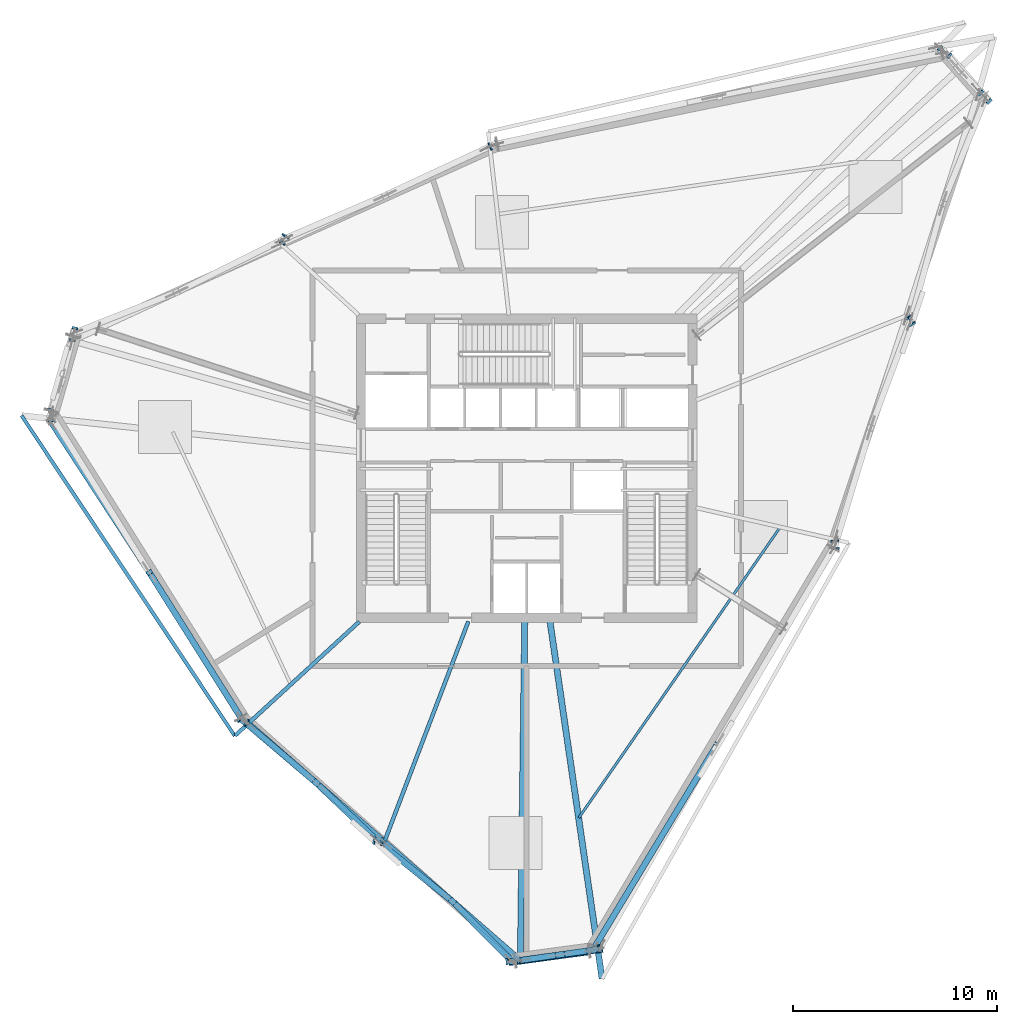
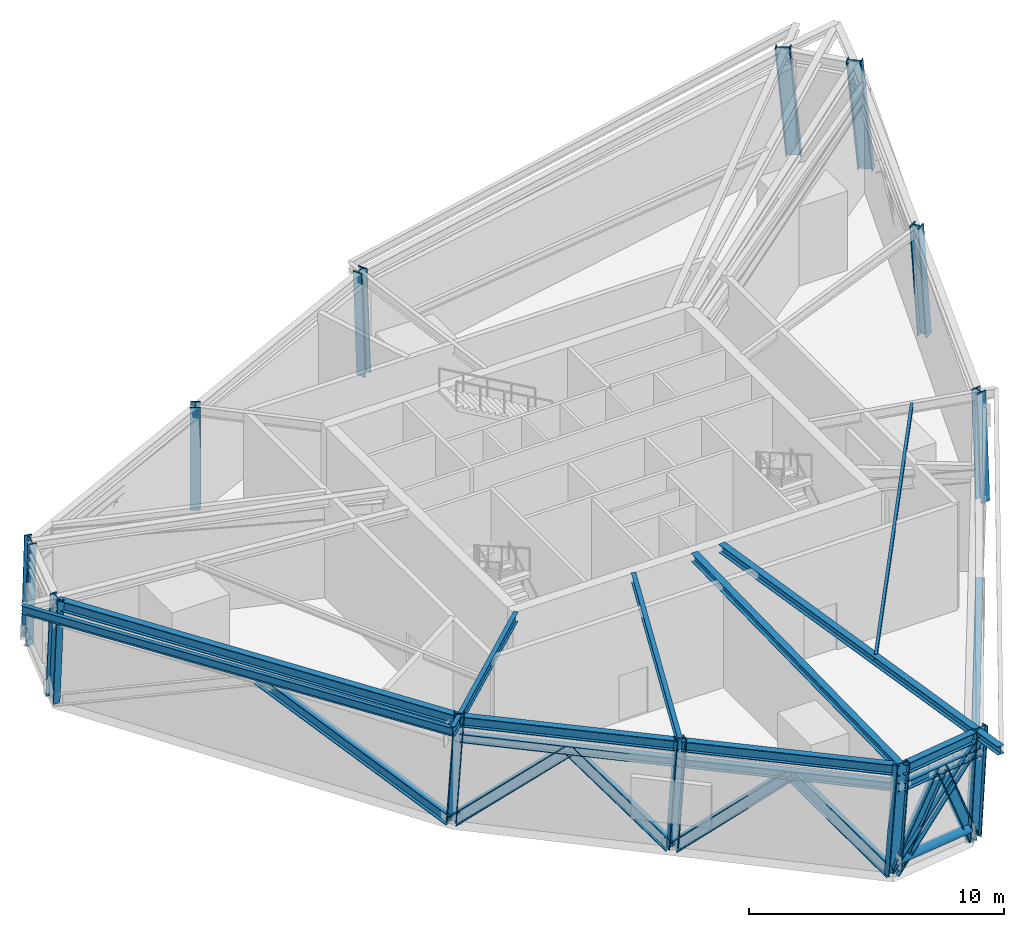
# One storey, part 1 of 15: 13 members, 12 columns, 10 beams.
"""IFC4 building model written with IfcOpenShell, lengths in metres."""

import ifcopenshell
import ifcopenshell.guid

model = None  # the IFC model being written
_history = None  # IfcOwnerHistory: only IFC2X3 demands one
_inside = {}  # id of a spatial element -> (the spatial element, [elements in it])
_under = {}  # id of a project, library or spatial element -> (it, [spatial elements below it])
_declared = {}  # id of a project -> (the project, [libraries it declares])
_typed = {}  # id of a type object -> (the type object, [elements of that type])
_made_of = {}  # id of a material, layer set ... -> (it, [elements and type objects made of it])


def new_model(schema):
    """Start an empty IFC model of exactly this schema.

    Asked for "IFC4X3", IfcOpenShell would pick the latest addendum, in which some entities
    have other attributes; the version numbers below select the first issue.
    IFC2X3 requires an IfcOwnerHistory on every rooted entity: one is made here for all.
    """
    global model, _history
    if schema == "IFC4X3":
        model = ifcopenshell.file(schema_version=(4, 3, 0, 0))
    else:
        model = ifcopenshell.file(schema=schema)
    _inside.clear()
    _under.clear()
    _declared.clear()
    _typed.clear()
    _made_of.clear()
    _history = None
    if model.schema == "IFC2X3":
        org = make("IfcOrganization", Name="unknown")
        user = make(
            "IfcPersonAndOrganization",
            ThePerson=make("IfcPerson", FamilyName="unknown"),
            TheOrganization=org,
        )
        app = make(
            "IfcApplication",
            ApplicationDeveloper=org,
            Version="unknown",
            ApplicationFullName="unknown",
            ApplicationIdentifier="unknown",
        )
        _history = make(
            "IfcOwnerHistory",
            OwningUser=user,
            OwningApplication=app,
            ChangeAction="ADDED",
            CreationDate=0,
        )
    return model


def make(cls, **values):
    """One entity of the class cls with the attributes given. An attribute that is None is left unset."""
    return model.create_entity(
        cls, **{name: value for name, value in values.items() if value is not None}
    )


def rooted(cls, **values):
    """An entity with a GlobalId (a new one), such as an element, a storey or a relation."""
    return make(cls, GlobalId=ifcopenshell.guid.new(), OwnerHistory=_history, **values)


def si_unit(unit_type, name, prefix=None):
    """IfcSIUnit, for example si_unit("LENGTHUNIT", "METRE", prefix="MILLI")."""
    return make("IfcSIUnit", UnitType=unit_type, Prefix=prefix, Name=name)


def assignment(units):
    """IfcUnitAssignment: the units of a project."""
    return None if units is None else make("IfcUnitAssignment", Units=units)


def point(xyz):
    """IfcCartesianPoint."""
    return None if xyz is None else make("IfcCartesianPoint", Coordinates=xyz)


def direction(xyz):
    """IfcDirection."""
    return None if xyz is None else make("IfcDirection", DirectionRatios=xyz)


def frame(location, z_axis=None, x_axis=None):
    """IfcAxis2Placement3D, a coordinate frame: its origin and axes. An axis left out is left unset."""
    return make(
        "IfcAxis2Placement3D",
        Location=point(location),
        Axis=direction(z_axis),
        RefDirection=direction(x_axis),
    )


def frame_2d(location, x_axis=None):
    """IfcAxis2Placement2D, a coordinate frame in the plane: its origin and x axis."""
    return make(
        "IfcAxis2Placement2D", Location=point(location), RefDirection=direction(x_axis)
    )


def origin():
    """The frame at (0, 0, 0) with its axes left unset."""
    return frame((0.0, 0.0, 0.0))


def origin_2d():
    """The frame at (0, 0) in the plane with its x axis left unset."""
    return frame_2d((0.0, 0.0))


def place(relative_to, where):
    """IfcLocalPlacement: puts the frame where relative to a parent placement (None: the world)."""
    return make(
        "IfcLocalPlacement", PlacementRelTo=relative_to, RelativePlacement=where
    )


def context(
    kind, dimensions, precision=None, world=None, true_north=None, identifier=None
):
    """IfcGeometricRepresentationContext, for example the 3D "Model" context."""
    return make(
        "IfcGeometricRepresentationContext",
        ContextIdentifier=identifier,
        ContextType=kind,
        CoordinateSpaceDimension=dimensions,
        Precision=precision,
        WorldCoordinateSystem=world,
        TrueNorth=true_north,
    )


def subcontext(parent, identifier, kind, view, scale=None):
    """IfcGeometricRepresentationSubContext, for example "Body" below "Model"."""
    return make(
        "IfcGeometricRepresentationSubContext",
        ContextIdentifier=identifier,
        ContextType=kind,
        ParentContext=parent,
        TargetScale=scale,
        TargetView=view,
    )


def project(units=None, contexts=None):
    """IfcProject with its units and contexts."""
    return rooted(
        "IfcProject",
        Name="project",
        RepresentationContexts=contexts,
        UnitsInContext=assignment(units),
    )


def spatial(cls, under=None, at=None, **own):
    """A site, building, storey or space (cls), placed at a placement, below another one or the project."""
    s = rooted(cls, ObjectPlacement=at, **own)
    if under is not None:
        _under.setdefault(under.id(), (under, []))[1].append(s)
    return s


def profile(cls, at=None, kind="AREA", **sizes):
    """A parametric profile (cls). Its sizes go by their IFC names, for example OverallWidth=200.0."""
    return make(cls, ProfileType=kind, Position=at, **sizes)


def hollow_circle(**sizes):
    """IfcCircleHollowProfileDef."""
    return profile("IfcCircleHollowProfileDef", **sizes)


def i_section(**sizes):
    """IfcIShapeProfileDef."""
    return profile("IfcIShapeProfileDef", **sizes)


def extrude(swept, where, along, depth):
    """IfcExtrudedAreaSolid: the profile swept, set in the frame where, extruded along a direction by depth."""
    return make(
        "IfcExtrudedAreaSolid",
        SweptArea=swept,
        Position=where,
        ExtrudedDirection=direction(along),
        Depth=depth,
    )


def shape(context_of_items, identifier, shape_type, items):
    """IfcShapeRepresentation: the items that make up one representation, for example the "Body"."""
    return make(
        "IfcShapeRepresentation",
        ContextOfItems=context_of_items,
        RepresentationIdentifier=identifier,
        RepresentationType=shape_type,
        Items=items,
    )


def source(mapping_origin, context_of_items, identifier, shape_type, items):
    """IfcRepresentationMap: a shape defined once, which mapped items show again and again."""
    return make(
        "IfcRepresentationMap",
        MappingOrigin=mapping_origin,
        MappedRepresentation=shape(context_of_items, identifier, shape_type, items),
    )


def transform(
    local_origin,
    x_axis=None,
    y_axis=None,
    z_axis=None,
    scale=None,
    scale2=None,
    scale3=None,
    uniform=True,
):
    """IfcCartesianTransformationOperator3D, or its non-uniform kind. x_axis, y_axis, z_axis: its Axis1, 2, 3."""
    if uniform:
        return make(
            "IfcCartesianTransformationOperator3D",
            Axis1=direction(x_axis),
            Axis2=direction(y_axis),
            LocalOrigin=point(local_origin),
            Scale=scale,
            Axis3=direction(z_axis),
        )
    return make(
        "IfcCartesianTransformationOperator3DnonUniform",
        Axis1=direction(x_axis),
        Axis2=direction(y_axis),
        LocalOrigin=point(local_origin),
        Scale=scale,
        Axis3=direction(z_axis),
        Scale2=scale2,
        Scale3=scale3,
    )


def mapped(mapping_source, mapping_target):
    """IfcMappedItem: shows the shape of a source again, moved by a transform."""
    return make(
        "IfcMappedItem", MappingSource=mapping_source, MappingTarget=mapping_target
    )


def material(Name=None, Category=None):
    """IfcMaterial."""
    return make("IfcMaterial", Name=Name, Category=Category)


def material_profile(
    of_material, cross_section, Name=None, Category=None, Priority=None
):
    """IfcMaterialProfile: a cross section and its material."""
    return make(
        "IfcMaterialProfile",
        Name=Name,
        Material=of_material,
        Profile=cross_section,
        Priority=Priority,
        Category=Category,
    )


def profile_set(profiles, Name=None, composite=None):
    """IfcMaterialProfileSet."""
    return make(
        "IfcMaterialProfileSet",
        Name=Name,
        MaterialProfiles=profiles,
        CompositeProfile=composite,
    )


def made_of(thing, what):
    """Note that an element or type object is made of a material, layer set ...; save() writes the relation."""
    if what is not None:
        _made_of.setdefault(what.id(), (what, []))[1].append(thing)
    return thing


def type_object(cls, material=None, **own):
    """A type object (cls), such as IfcWallType, which elements share."""
    return made_of(rooted(cls, **own), material)


def element(
    cls,
    number,
    at=None,
    inside=None,
    cuts=None,
    type_object=None,
    material=None,
    context=None,
    identifier="Body",
    shape_type=None,
    held_by="IfcProductDefinitionShape",
    body=None,
    shapes=None,
    **own,
):
    """One element of the class cls, such as IfcWall. Its Tag is "e" and its number.

    at: its placement. inside: the storey or other place that contains it. cuts: it is an
    opening in that element (IfcRelVoidsElement). A single representation is given by context,
    identifier, shape_type and body (its items); several are given by shapes. held_by: the class
    of the entity that holds the representations. save() writes the other relations.
    """
    e = rooted(cls, Tag="e%d" % number, ObjectPlacement=at, **own)
    if body is not None:
        shapes = [shape(context, identifier, shape_type, body)]
    if shapes is not None:
        e.Representation = make(held_by, Representations=shapes)
    if inside is not None:
        _inside.setdefault(inside.id(), (inside, []))[1].append(e)
    if cuts is not None:
        rooted(
            "IfcRelVoidsElement", RelatingBuildingElement=cuts, RelatedOpeningElement=e
        )
    if type_object is not None:
        _typed.setdefault(type_object.id(), (type_object, []))[1].append(e)
    return made_of(e, material)


def aggregate(whole, parts):
    """IfcRelAggregates: a whole, such as a stair, and the parts it consists of."""
    return rooted("IfcRelAggregates", RelatingObject=whole, RelatedObjects=parts)


def save(model, path):
    """Write the relations noted so far, then the file.

    IfcRelAggregates (storeys below a building ...), IfcRelContainedInSpatialStructure (elements
    in a storey), IfcRelDefinesByType, IfcRelAssociatesMaterial and IfcRelDeclares: one each for
    every whole, place, type object, material and project.
    """
    for whole, parts in _under.values():
        aggregate(whole, parts)
    for where, things in _inside.values():
        rooted(
            "IfcRelContainedInSpatialStructure",
            RelatedElements=things,
            RelatingStructure=where,
        )
    for kind, things in _typed.values():
        rooted("IfcRelDefinesByType", RelatedObjects=things, RelatingType=kind)
    for what, things in _made_of.values():
        rooted("IfcRelAssociatesMaterial", RelatedObjects=things, RelatingMaterial=what)
    for by, libraries in _declared.values():
        rooted("IfcRelDeclares", RelatingContext=by, RelatedDefinitions=libraries)
    model.write(path)


model = new_model("IFC4")

# Units and contexts
model_context = context("Model", 3, precision=1e-05, world=origin(), true_north=direction((0.0, 1.0)))
body_context = subcontext(model_context, "Body", "Model", "MODEL_VIEW")
ifc_project = project(units=[si_unit("LENGTHUNIT", "METRE"), si_unit("AREAUNIT", "SQUARE_METRE"), si_unit("VOLUMEUNIT", "CUBIC_METRE"), si_unit("PLANEANGLEUNIT", "RADIAN"), si_unit("MASSUNIT", "GRAM", prefix="KILO")], contexts=[model_context])

# Site, building, storey
site_placement = place(None, origin())
site = spatial("IfcSite", under=ifc_project, at=site_placement, CompositionType="ELEMENT")
building_placement = place(site_placement, origin())
building = spatial("IfcBuilding", under=site, at=building_placement, Name="Olszyna Solenne Hotel", CompositionType="ELEMENT")
storey_placement = place(building_placement, frame((0.0, 0.0, 204.300048828125)))
storey = spatial("IfcBuildingStorey", under=building, at=storey_placement, Name="L54", CompositionType="ELEMENT", Elevation=204.300048828125)

# Columns
ifc_material_1 = material(Name="Steel S460M", Category="steel")
ifc_material_profile_1 = material_profile(ifc_material_1, i_section(OverallWidth=0.304931640625, OverallDepth=0.6201171875, WebThickness=0.02099609375, FlangeThickness=0.0400390625, at=origin_2d()), Name="HEM 600", Category="load-bearing")
ifc_profile_set_1 = profile_set([ifc_material_profile_1], Name="Steel S460M")
column_type_1 = type_object("IfcColumnType", Name="COL-K3", PredefinedType="COLUMN", material=ifc_profile_set_1)
shared_shape_1 = source(origin(), body_context, "Body", "SweptSolid", [
    extrude(i_section(OverallWidth=0.304931640625, OverallDepth=0.6201171875, WebThickness=0.02099609375, FlangeThickness=0.0400390625, at=origin_2d()), origin(), (0.0, 0.0, 1.0), 5.15673828125),
])
column_1_placement = place(storey_placement, frame((60.49169921875, 44.744140625, 0.0), z_axis=(-0.064577863285, 0.064956619082, 0.995796333198), x_axis=(-0.709171313301, -0.705036203603, 0.0)))
element("IfcColumn", 1, at=column_1_placement, inside=storey, type_object=column_type_1, Name="Perimeter framed-tube column COL-K3 C-L54-01", PredefinedType="COLUMN", context=body_context, shape_type="MappedRepresentation", body=[
    mapped(shared_shape_1, transform((0.0, 0.0, 0.0), x_axis=(1.0, 0.0, 0.0), y_axis=(0.0, 1.0, 0.0), z_axis=(0.0, 0.0, 1.0), scale=1.0)),
])
shared_shape_2 = source(origin(), body_context, "Body", "SweptSolid", [
    extrude(i_section(OverallWidth=0.304931640625, OverallDepth=0.6201171875, WebThickness=0.02099609375, FlangeThickness=0.0400390625, at=origin_2d()), origin(), (0.0, 0.0, 1.0), 5.15380859375),
])
column_2_placement = place(storey_placement, frame((58.51220703125, 46.9775390625, 0.0), z_axis=(-0.066367382567, 0.053434980396, 0.996363424359), x_axis=(-0.627132834462, -0.778912323654, 0.0)))
element("IfcColumn", 2, at=column_2_placement, inside=storey, type_object=column_type_1, Name="Perimeter framed-tube column COL-K3 C-L54-02", PredefinedType="COLUMN", context=body_context, shape_type="MappedRepresentation", body=[
    mapped(shared_shape_2, transform((0.0, 0.0, 0.0), x_axis=(1.0, 0.0, 0.0), y_axis=(0.0, 1.0, 0.0), z_axis=(0.0, 0.0, 1.0), scale=1.0)),
])
ifc_material_profile_2 = material_profile(ifc_material_1, i_section(OverallWidth=0.406005859375, OverallDepth=0.416015625, WebThickness=0.026611328125, FlangeThickness=0.04150390625, at=origin_2d()), Name="HD 400x382", Category="load-bearing")
ifc_profile_set_2 = profile_set([ifc_material_profile_2], Name="Steel S460M")
column_type_2 = type_object("IfcColumnType", Name="COL-T4", PredefinedType="COLUMN", material=ifc_profile_set_2)
shared_shape_3 = source(origin(), body_context, "Body", "SweptSolid", [
    extrude(i_section(OverallWidth=0.406005859375, OverallDepth=0.416015625, WebThickness=0.026611328125, FlangeThickness=0.04150390625, at=origin_2d()), origin(), (0.0, 0.0, 1.0), 5.141357421875),
])
column_3_placement = place(storey_placement, frame((36.39990234375, 42.461181640625, 0.0), z_axis=(-0.044731376894, -0.021700890914, 0.998763322942), x_axis=(0.436484399446, -0.899711825553, 0.0)))
element("IfcColumn", 3, at=column_3_placement, inside=storey, type_object=column_type_2, Name="Perimeter framed-tube column COL-T4 C-L54-03", PredefinedType="COLUMN", context=body_context, shape_type="MappedRepresentation", body=[
    mapped(shared_shape_3, transform((0.0, 0.0, 0.0), x_axis=(1.0, 0.0, 0.0), y_axis=(0.0, 1.0, 0.0), z_axis=(0.0, 0.0, 1.0), scale=1.0)),
])
shared_shape_4 = source(origin(), body_context, "Body", "SweptSolid", [
    extrude(i_section(OverallWidth=0.406005859375, OverallDepth=0.416015625, WebThickness=0.026611328125, FlangeThickness=0.04150390625, at=origin_2d()), origin(), (0.0, 0.0, 1.0), 5.14306640625),
])
column_4_placement = place(storey_placement, frame((26.104248046875, 37.842041015625, 0.0), z_axis=(-0.0297632018, -0.047659098256, 0.998420133096), x_axis=(0.848188094291, -0.529695154502, 0.0)))
element("IfcColumn", 4, at=column_4_placement, inside=storey, type_object=column_type_2, Name="Perimeter framed-tube column COL-T4 C-L54-04", PredefinedType="COLUMN", context=body_context, shape_type="MappedRepresentation", body=[
    mapped(shared_shape_4, transform((0.0, 0.0, 0.0), x_axis=(1.0, 0.0, 0.0), y_axis=(0.0, 1.0, 0.0), z_axis=(0.0, 0.0, 1.0), scale=1.0)),
])
shared_shape_5 = source(origin(), body_context, "Body", "SweptSolid", [
    extrude(i_section(OverallWidth=0.304931640625, OverallDepth=0.6201171875, WebThickness=0.02099609375, FlangeThickness=0.0400390625, at=origin_2d()), origin(), (0.0, 0.0, 1.0), 5.1494140625),
])
column_5_placement = place(storey_placement, frame((15.80859375, 33.222900390625, 0.0), z_axis=(-0.014792046228, -0.0735335375, 0.997183039482), x_axis=(0.980361267352, -0.19721000349, 0.0)))
element("IfcColumn", 5, at=column_5_placement, inside=storey, type_object=column_type_1, Name="Perimeter framed-tube column COL-K3 C-L54-05", PredefinedType="COLUMN", context=body_context, shape_type="MappedRepresentation", body=[
    mapped(shared_shape_5, transform((0.0, 0.0, 0.0), x_axis=(1.0, 0.0, 0.0), y_axis=(0.0, 1.0, 0.0), z_axis=(0.0, 0.0, 1.0), scale=1.0)),
])
shared_shape_6 = source(origin(), body_context, "Body", "SweptSolid", [
    extrude(i_section(OverallWidth=0.304931640625, OverallDepth=0.6201171875, WebThickness=0.02099609375, FlangeThickness=0.0400390625, at=origin_2d()), origin(), (0.0, 0.0, 1.0), 5.146484375),
])
column_6_placement = place(storey_placement, frame((14.66845703125, 29.246826171875, 0.0), z_axis=(4.743756e-05, -0.066981834351, 0.997754193986), x_axis=(0.999999749216, 0.00070821512, 0.0)))
element("IfcColumn", 6, at=column_6_placement, inside=storey, type_object=column_type_1, Name="Perimeter framed-tube column COL-K3 C-L54-06", PredefinedType="COLUMN", context=body_context, shape_type="MappedRepresentation", body=[
    mapped(shared_shape_6, transform((0.0, 0.0, 0.0), x_axis=(1.0, 0.0, 0.0), y_axis=(0.0, 1.0, 0.0), z_axis=(0.0, 0.0, 1.0), scale=1.0)),
])
shared_shape_7 = source(origin(), body_context, "Body", "SweptSolid", [
    extrude(i_section(OverallWidth=0.406005859375, OverallDepth=0.416015625, WebThickness=0.026611328125, FlangeThickness=0.04150390625, at=origin_2d()), origin(), (0.0, 0.0, 1.0), 5.144287109375),
])
column_7_placement = place(storey_placement, frame((24.0810546875, 14.24267578125, 0.0), z_axis=(0.051730589714, -0.029994250183, 0.998210544446), x_axis=(0.501599307761, 0.86510007193, 0.0)))
element("IfcColumn", 7, at=column_7_placement, inside=storey, type_object=column_type_2, Name="Perimeter framed-tube column COL-T4 C-L54-07", PredefinedType="COLUMN", context=body_context, shape_type="MappedRepresentation", body=[
    mapped(shared_shape_7, transform((0.0, 0.0, 0.0), x_axis=(1.0, 0.0, 0.0), y_axis=(0.0, 1.0, 0.0), z_axis=(0.0, 0.0, 1.0), scale=1.0)),
])
shared_shape_8 = source(origin(), body_context, "Body", "SweptSolid", [
    extrude(i_section(OverallWidth=0.406005859375, OverallDepth=0.416015625, WebThickness=0.026611328125, FlangeThickness=0.04150390625, at=origin_2d()), origin(), (0.0, 0.0, 1.0), 5.146240234375),
])
column_8_placement = place(storey_placement, frame((30.683349609375, 8.340087890625, 0.0), z_axis=(0.065182165188, -0.01214456644, 0.997799476271), x_axis=(0.183165231695, 0.983082141989, 0.0)))
element("IfcColumn", 8, at=column_8_placement, inside=storey, type_object=column_type_2, Name="Perimeter framed-tube column COL-T4 C-L54-08", PredefinedType="COLUMN", context=body_context, shape_type="MappedRepresentation", body=[
    mapped(shared_shape_8, transform((0.0, 0.0, 0.0), x_axis=(1.0, 0.0, 0.0), y_axis=(0.0, 1.0, 0.0), z_axis=(0.0, 0.0, 1.0), scale=1.0)),
])
shared_shape_9 = source(origin(), body_context, "Body", "SweptSolid", [
    extrude(i_section(OverallWidth=0.304931640625, OverallDepth=0.6201171875, WebThickness=0.02099609375, FlangeThickness=0.0400390625, at=origin_2d()), origin(), (0.0, 0.0, 1.0), 5.151123046875),
])
column_9_placement = place(storey_placement, frame((37.285400390625, 2.4375, 0.0), z_axis=(0.078677682266, 0.005640147102, 0.99688415127), x_axis=(-0.071503255181, 0.997440366387, 0.0)))
element("IfcColumn", 9, at=column_9_placement, inside=storey, type_object=column_type_1, Name="Perimeter framed-tube column COL-K3 C-L54-09", PredefinedType="COLUMN", context=body_context, shape_type="MappedRepresentation", body=[
    mapped(shared_shape_9, transform((0.0, 0.0, 0.0), x_axis=(1.0, 0.0, 0.0), y_axis=(0.0, 1.0, 0.0), z_axis=(0.0, 0.0, 1.0), scale=1.0)),
])
shared_shape_10 = source(origin(), body_context, "Body", "SweptSolid", [
    extrude(i_section(OverallWidth=0.304931640625, OverallDepth=0.6201171875, WebThickness=0.02099609375, FlangeThickness=0.0400390625, at=origin_2d()), origin(), (0.0, 0.0, 1.0), 5.147216796875),
])
column_10_placement = place(storey_placement, frame((41.233642578125, 2.97119140625, 0.0), z_axis=(0.067209108354, 0.016221252687, 0.99760704023), x_axis=(-0.234618179644, 0.972087603964, 0.0)))
element("IfcColumn", 10, at=column_10_placement, inside=storey, type_object=column_type_1, Name="Perimeter framed-tube column COL-K3 C-L54-10", PredefinedType="COLUMN", context=body_context, shape_type="MappedRepresentation", body=[
    mapped(shared_shape_10, transform((0.0, 0.0, 0.0), x_axis=(1.0, 0.0, 0.0), y_axis=(0.0, 1.0, 0.0), z_axis=(0.0, 0.0, 1.0), scale=1.0)),
])
shared_shape_11 = source(origin(), body_context, "Body", "SweptSolid", [
    extrude(i_section(OverallWidth=0.406005859375, OverallDepth=0.416015625, WebThickness=0.026611328125, FlangeThickness=0.04150390625, at=origin_2d()), origin(), (0.0, 0.0, 1.0), 5.141845703125),
])
column_11_placement = place(storey_placement, frame((53.115234375, 22.819091796875, 0.0), z_axis=(-0.004605605152, 0.051611265979, 0.998656630492), x_axis=(-0.996042052378, -0.088883237425, 0.0)))
element("IfcColumn", 11, at=column_11_placement, inside=storey, type_object=column_type_2, Name="Perimeter framed-tube column COL-T4 C-L54-11", PredefinedType="COLUMN", context=body_context, shape_type="MappedRepresentation", body=[
    mapped(shared_shape_11, transform((0.0, 0.0, 0.0), x_axis=(1.0, 0.0, 0.0), y_axis=(0.0, 1.0, 0.0), z_axis=(0.0, 0.0, 1.0), scale=1.0)),
])
shared_shape_12 = source(origin(), body_context, "Body", "SweptSolid", [
    extrude(i_section(OverallWidth=0.406005859375, OverallDepth=0.416015625, WebThickness=0.026611328125, FlangeThickness=0.04150390625, at=origin_2d()), origin(), (0.0, 0.0, 1.0), 5.14697265625),
])
column_12_placement = place(storey_placement, frame((56.803466796875, 33.78173828125, 0.0), z_axis=(-0.034627486329, 0.058297507806, 0.997698520483), x_axis=(-0.859768358952, -0.510684216464, 0.0)))
element("IfcColumn", 12, at=column_12_placement, inside=storey, type_object=column_type_2, Name="Perimeter framed-tube column COL-T4 C-L54-12", PredefinedType="COLUMN", context=body_context, shape_type="MappedRepresentation", body=[
    mapped(shared_shape_12, transform((0.0, 0.0, 0.0), x_axis=(1.0, 0.0, 0.0), y_axis=(0.0, 1.0, 0.0), z_axis=(0.0, 0.0, 1.0), scale=1.0)),
])

# Beams
ifc_material_2 = material(Name="Steel S355J2", Category="steel")
ifc_material_profile_3 = material_profile(ifc_material_2, i_section(OverallWidth=0.300048828125, OverallDepth=0.5, WebThickness=0.014404296875, FlangeThickness=0.028076171875, at=origin_2d()), Name="HEB 500", Category="load-bearing")
ifc_profile_set_3 = profile_set([ifc_material_profile_3], Name="Steel S355J2")
beam_type_1 = type_object("IfcBeamType", Name="BM-S3", PredefinedType="BEAM", material=ifc_profile_set_3)
shared_shape_13 = source(origin(), body_context, "Body", "SweptSolid", [
    extrude(i_section(OverallWidth=0.300048828125, OverallDepth=0.5, WebThickness=0.014404296875, FlangeThickness=0.028076171875, at=origin_2d()), origin(), (0.0, 0.0, 1.0), 17.5751953125),
])
beam_1_placement = place(storey_placement, frame((14.70166015625, 28.85205078125, 4.829833984375), z_axis=(0.546950660933, -0.837164843089, 0.0), x_axis=(0.837164843089, 0.546950660933, 0.0)))
element("IfcBeam", 13, at=beam_1_placement, inside=storey, type_object=beam_type_1, Name="Perimeter spandrel beam BM-S3 B-L54-1593", PredefinedType="BEAM", context=body_context, shape_type="MappedRepresentation", body=[
    mapped(shared_shape_13, transform((0.0, 0.0, 0.0), x_axis=(1.0, 0.0, 0.0), y_axis=(0.0, 1.0, 0.0), z_axis=(0.0, 0.0, 1.0), scale=1.0)),
])
shared_shape_14 = source(origin(), body_context, "Body", "SweptSolid", [
    extrude(i_section(OverallWidth=0.300048828125, OverallDepth=0.5, WebThickness=0.014404296875, FlangeThickness=0.028076171875, at=origin_2d()), origin(), (0.0, 0.0, 1.0), 8.7275390625),
])
for number, where, z_axis, x_axis, name in (
    (14, (24.392333984375, 14.049072265625, 4.829833984375), (0.754077126757, -0.656785875992, 0.0), (0.656785875992, 0.754077126757, 0.0), "Perimeter spandrel beam BM-S3 B-L54-1594"),
    (15, (31.064208984375, 8.238037109375, 4.829833984375), (0.754090981118, -0.656769969013, 0.0), (0.656769969013, 0.754090981118, 0.0), "Perimeter spandrel beam BM-S3 B-L54-1595"),
):
    element("IfcBeam", number, at=place(storey_placement, frame(where, z_axis=z_axis, x_axis=x_axis)), inside=storey, type_object=beam_type_1, Name=name, PredefinedType="BEAM", context=body_context, shape_type="MappedRepresentation", body=[
        mapped(shared_shape_14, transform((0.0, 0.0, 0.0), x_axis=(1.0, 0.0, 0.0), y_axis=(0.0, 1.0, 0.0), z_axis=(0.0, 0.0, 1.0), scale=1.0)),
    ])
shared_shape_15 = source(origin(), body_context, "Body", "SweptSolid", [
    extrude(i_section(OverallWidth=0.300048828125, OverallDepth=0.5, WebThickness=0.014404296875, FlangeThickness=0.028076171875, at=origin_2d()), origin(), (0.0, 0.0, 1.0), 3.813232421875),
])
beam_2_placement = place(storey_placement, frame((37.75, 2.4755859375, 4.829833984375), z_axis=(0.988761437196, 0.149501907392, 0.0), x_axis=(-0.149501907392, 0.988761437196, 0.0)))
element("IfcBeam", 16, at=beam_2_placement, inside=storey, type_object=beam_type_1, Name="Perimeter spandrel beam BM-S3 B-L54-1596", PredefinedType="BEAM", context=body_context, shape_type="MappedRepresentation", body=[
    mapped(shared_shape_15, transform((0.0, 0.0, 0.0), x_axis=(1.0, 0.0, 0.0), y_axis=(0.0, 1.0, 0.0), z_axis=(0.0, 0.0, 1.0), scale=1.0)),
])
ifc_material_profile_4 = material_profile(ifc_material_2, i_section(OverallWidth=0.18994140625, OverallDepth=0.449951171875, WebThickness=0.009521484375, FlangeThickness=0.0146484375, at=origin_2d()), Name="IPE 450", Category="load-bearing")
ifc_profile_set_4 = profile_set([ifc_material_profile_4], Name="Steel S355J2")
beam_type_2 = type_object("IfcBeamType", Name="BM-F4", PredefinedType="BEAM", material=ifc_profile_set_4)
shared_shape_16 = source(origin(), body_context, "Body", "SweptSolid", [
    extrude(i_section(OverallWidth=0.18994140625, OverallDepth=0.449951171875, WebThickness=0.009521484375, FlangeThickness=0.0146484375, at=origin_2d()), origin(), (0.0, 0.0, 1.0), 8.26416015625),
])
beam_3_placement = place(storey_placement, frame((23.707763671875, 13.497802734375, 4.85498046875), z_axis=(0.736965262872, 0.675930618717, 0.0), x_axis=(-0.675930618717, 0.736965262872, 0.0)))
element("IfcBeam", 17, at=beam_3_placement, inside=storey, type_object=beam_type_2, Name="Radial floor girder BM-F4 B-L54-1606", PredefinedType="BEAM", context=body_context, shape_type="MappedRepresentation", body=[
    mapped(shared_shape_16, transform((0.0, 0.0, 0.0), x_axis=(1.0, 0.0, 0.0), y_axis=(0.0, 1.0, 0.0), z_axis=(0.0, 0.0, 1.0), scale=1.0)),
])
shared_shape_17 = source(origin(), body_context, "Body", "SweptSolid", [
    extrude(i_section(OverallWidth=0.18994140625, OverallDepth=0.449951171875, WebThickness=0.009521484375, FlangeThickness=0.0146484375, at=origin_2d()), origin(), (0.0, 0.0, 1.0), 11.517822265625),
])
beam_4_placement = place(storey_placement, frame((31.040283203125, 8.33349609375, 4.85498046875), z_axis=(0.356038517814, 0.934471280368, 0.0), x_axis=(-0.934471280368, 0.356038517814, 0.0)))
element("IfcBeam", 18, at=beam_4_placement, inside=storey, type_object=beam_type_2, Name="Radial floor girder BM-F4 B-L54-1607", PredefinedType="BEAM", context=body_context, shape_type="MappedRepresentation", body=[
    mapped(shared_shape_17, transform((0.0, 0.0, 0.0), x_axis=(1.0, 0.0, 0.0), y_axis=(0.0, 1.0, 0.0), z_axis=(0.0, 0.0, 1.0), scale=1.0)),
])
ifc_material_profile_5 = material_profile(ifc_material_2, i_section(OverallWidth=0.300048828125, OverallDepth=0.389892578125, WebThickness=0.010986328125, FlangeThickness=0.01904296875, at=origin_2d()), Name="HEA 400", Category="load-bearing")
ifc_profile_set_5 = profile_set([ifc_material_profile_5], Name="Steel S355J2")
beam_type_3 = type_object("IfcBeamType", Name="BM-G2", PredefinedType="BEAM", material=ifc_profile_set_5)
shared_shape_18 = source(origin(), body_context, "Body", "SweptSolid", [
    extrude(i_section(OverallWidth=0.300048828125, OverallDepth=0.389892578125, WebThickness=0.010986328125, FlangeThickness=0.01904296875, at=origin_2d()), origin(), (0.0, 0.0, 1.0), 16.574951171875),
])
beam_5_placement = place(storey_placement, frame((37.69140625, 2.526611328125, 4.885009765625), z_axis=(0.01281473908, 0.99991788786, 0.0), x_axis=(-0.99991788786, 0.01281473908, 0.0)))
element("IfcBeam", 19, at=beam_5_placement, inside=storey, type_object=beam_type_3, Name="Radial floor girder BM-G2 B-L54-1608", PredefinedType="BEAM", context=body_context, shape_type="MappedRepresentation", body=[
    mapped(shared_shape_18, transform((0.0, 0.0, 0.0), x_axis=(1.0, 0.0, 0.0), y_axis=(0.0, 1.0, 0.0), z_axis=(0.0, 0.0, 1.0), scale=1.0)),
])
shared_shape_19 = source(origin(), body_context, "Body", "SweptSolid", [
    extrude(i_section(OverallWidth=0.300048828125, OverallDepth=0.389892578125, WebThickness=0.010986328125, FlangeThickness=0.01904296875, at=origin_2d()), origin(), (0.0, 0.0, 1.0), 17.698486328125),
])
beam_6_placement = place(storey_placement, frame((41.692626953125, 1.5859375, 4.885009765625), z_axis=(-0.144207557974, 0.98954746234, 0.0), x_axis=(-0.98954746234, -0.144207557974, 0.0)))
element("IfcBeam", 20, at=beam_6_placement, inside=storey, type_object=beam_type_3, Name="Radial floor girder BM-G2 B-L54-1609", PredefinedType="BEAM", context=body_context, shape_type="MappedRepresentation", body=[
    mapped(shared_shape_19, transform((0.0, 0.0, 0.0), x_axis=(1.0, 0.0, 0.0), y_axis=(0.0, 1.0, 0.0), z_axis=(0.0, 0.0, 1.0), scale=1.0)),
])
ifc_material_profile_6 = material_profile(ifc_material_2, i_section(OverallWidth=0.1201171875, OverallDepth=0.239990234375, WebThickness=0.006103515625, FlangeThickness=0.009765625, at=origin_2d()), Name="IPE 240", Category="load-bearing")
ifc_profile_set_6 = profile_set([ifc_material_profile_6], Name="Steel S355J2")
beam_type_4 = type_object("IfcBeamType", Name="JS-03", PredefinedType="JOIST", material=ifc_profile_set_6)
shared_shape_20 = source(origin(), body_context, "Body", "SweptSolid", [
    extrude(i_section(OverallWidth=0.1201171875, OverallDepth=0.239990234375, WebThickness=0.006103515625, FlangeThickness=0.009765625, at=origin_2d()), origin(), (0.0, 0.0, 1.0), 17.31201171875),
])
beam_7_placement = place(storey_placement, frame((40.55712890625, 9.472412109375, 4.9599609375), z_axis=(0.569500341539, 0.821991095443, 0.0), x_axis=(-0.821991095443, 0.569500341539, 0.0)))
element("IfcBeam", 21, at=beam_7_placement, inside=storey, type_object=beam_type_4, Name="Secondary composite floor joist JS-03 B-L54-1617", PredefinedType="JOIST", context=body_context, shape_type="MappedRepresentation", body=[
    mapped(shared_shape_20, transform((0.0, 0.0, 0.0), x_axis=(1.0, 0.0, 0.0), y_axis=(0.0, 1.0, 0.0), z_axis=(0.0, 0.0, 1.0), scale=1.0)),
])
ifc_material_profile_7 = material_profile(ifc_material_2, i_section(OverallWidth=0.179931640625, OverallDepth=0.39990234375, WebThickness=0.008544921875, FlangeThickness=0.013427734375, at=origin_2d()), Name="IPE 400", Category="load-bearing")
ifc_profile_set_7 = profile_set([ifc_material_profile_7], Name="Steel S355J2")
beam_type_5 = type_object("IfcBeamType", Name="BM-F5", PredefinedType="BEAM", material=ifc_profile_set_7)
shared_shape_21 = source(origin(), body_context, "Body", "SweptSolid", [
    extrude(i_section(OverallWidth=0.179931640625, OverallDepth=0.39990234375, WebThickness=0.008544921875, FlangeThickness=0.013427734375, at=origin_2d()), origin(), (0.0, 0.0, 1.0), 18.857666015625),
])
beam_8_placement = place(storey_placement, frame((13.244384765625, 29.1826171875, 4.8798828125), z_axis=(0.554084587473, -0.832460371384, 0.0), x_axis=(0.832460371384, 0.554084587473, 0.0)))
element("IfcBeam", 22, at=beam_8_placement, inside=storey, type_object=beam_type_5, Name="Loggia outer edge beam BM-F5 B-L54-1619", PredefinedType="BEAM", context=body_context, shape_type="MappedRepresentation", body=[
    mapped(shared_shape_21, transform((0.0, 0.0, 0.0), x_axis=(1.0, 0.0, 0.0), y_axis=(0.0, 1.0, 0.0), z_axis=(0.0, 0.0, 1.0), scale=1.0)),
])

# Members
ifc_material_profile_8 = material_profile(ifc_material_1, i_section(OverallWidth=0.40087890625, OverallDepth=0.39892578125, WebThickness=0.02197265625, FlangeThickness=0.034423828125, at=origin_2d()), Name="HD 400x314", Category="load-bearing")
ifc_profile_set_8 = profile_set([ifc_material_profile_8], Name="Steel S460M")
member_type_1 = type_object("IfcMemberType", Name="BR-T3", PredefinedType="BRACE", material=ifc_profile_set_8)
shared_shape_22 = source(origin(), body_context, "Body", "SweptSolid", [
    extrude(i_section(OverallWidth=0.40087890625, OverallDepth=0.39892578125, WebThickness=0.02197265625, FlangeThickness=0.034423828125, at=origin_2d()), origin(), (0.0, 0.0, 1.0), 6.46630859375),
])
member_1_placement = place(storey_placement, frame((37.285400390625, 2.4375, 0.010009765625), z_axis=(0.664093735743, 0.095447664106, 0.741531694241), x_axis=(-0.142264311044, 0.989828705283, 0.0)))
element("IfcMember", 23, at=member_1_placement, inside=storey, type_object=member_type_1, Name="Perimeter braced-tube diagonal BR-T3 BR-L54-3", PredefinedType="BRACE", context=body_context, shape_type="MappedRepresentation", body=[
    mapped(shared_shape_22, transform((0.0, 0.0, 0.0), x_axis=(1.0, 0.0, 0.0), y_axis=(0.0, 1.0, 0.0), z_axis=(0.0, 0.0, 1.0), scale=1.0)),
])
ifc_material_profile_9 = material_profile(ifc_material_2, i_section(OverallWidth=0.300048828125, OverallDepth=0.5, WebThickness=0.014404296875, FlangeThickness=0.028076171875, at=origin_2d()), Name="HEB 500", Category="load-bearing")
ifc_profile_set_9 = profile_set([ifc_material_profile_9], Name="Steel S355J2")
member_type_2 = type_object("IfcMemberType", Name="BR-BL1", PredefinedType="BRACE", material=ifc_profile_set_9)
shared_shape_23 = source(origin(), body_context, "Body", "SweptSolid", [
    extrude(i_section(OverallWidth=0.300048828125, OverallDepth=0.5, WebThickness=0.014404296875, FlangeThickness=0.028076171875, at=origin_2d()), origin(), (0.0, 0.0, 1.0), 9.42919921875),
])
member_2_placement = place(storey_placement, frame((24.059814453125, 14.276611328125, 0.02001953125), z_axis=(-0.482732137429, 0.765577335308, 0.425277588354), x_axis=(-0.845882953863, -0.533368567094, 0.0)))
element("IfcMember", 24, at=member_2_placement, inside=storey, type_object=member_type_2, Name="Belt truss diagonal BR-BL1 BT-L54-06-2", PredefinedType="BRACE", context=body_context, shape_type="MappedRepresentation", body=[
    mapped(shared_shape_23, transform((0.0, 0.0, 0.0), x_axis=(1.0, 0.0, 0.0), y_axis=(0.0, 1.0, 0.0), z_axis=(0.0, 0.0, 1.0), scale=1.0)),
])
ifc_material_profile_10 = material_profile(ifc_material_2, i_section(OverallWidth=0.300048828125, OverallDepth=0.39990234375, WebThickness=0.013427734375, FlangeThickness=0.02392578125, at=origin_2d()), Name="HEB 400", Category="load-bearing")
ifc_profile_set_10 = profile_set([ifc_material_profile_10], Name="Steel S355J2")
member_type_3 = type_object("IfcMemberType", Name="CH-TR2", PredefinedType="CHORD", material=ifc_profile_set_10)
shared_shape_24 = source(origin(), body_context, "Body", "SweptSolid", [
    extrude(i_section(OverallWidth=0.300048828125, OverallDepth=0.39990234375, WebThickness=0.013427734375, FlangeThickness=0.02392578125, at=origin_2d()), origin(), (0.0, 0.0, 1.0), 8.767578125),
])
member_3_placement = place(storey_placement, frame((24.37744140625, 14.062255859375, 4.030029296875), z_axis=(0.754065135303, -0.656799643515, 0.0), x_axis=(0.656799643515, 0.754065135303, 0.0)))
element("IfcMember", 25, at=member_3_placement, inside=storey, type_object=member_type_3, Name="Belt truss upper chord CH-TR2 CH-L54-07", PredefinedType="CHORD", context=body_context, shape_type="MappedRepresentation", body=[
    mapped(shared_shape_24, transform((0.0, 0.0, 0.0), x_axis=(1.0, 0.0, 0.0), y_axis=(0.0, 1.0, 0.0), z_axis=(0.0, 0.0, 1.0), scale=1.0)),
])
shared_shape_25 = source(origin(), body_context, "Body", "SweptSolid", [
    extrude(i_section(OverallWidth=0.300048828125, OverallDepth=0.5, WebThickness=0.014404296875, FlangeThickness=0.028076171875, at=origin_2d()), origin(), (0.0, 0.0, 1.0), 6.167724609375),
])
member_4_placement = place(storey_placement, frame((24.11083984375, 14.216064453125, 0.02001953125), z_axis=(0.579192485026, -0.491751520058, 0.650166523138), x_axis=(0.647218826499, 0.762304263812, 0.0)))
element("IfcMember", 26, at=member_4_placement, inside=storey, type_object=member_type_2, Name="Belt truss diagonal BR-BL1 BT-L54-07-1", PredefinedType="BRACE", context=body_context, shape_type="MappedRepresentation", body=[
    mapped(shared_shape_25, transform((0.0, 0.0, 0.0), x_axis=(1.0, 0.0, 0.0), y_axis=(0.0, 1.0, 0.0), z_axis=(0.0, 0.0, 1.0), scale=1.0)),
])
shared_shape_26 = source(origin(), body_context, "Body", "SweptSolid", [
    extrude(i_section(OverallWidth=0.300048828125, OverallDepth=0.5, WebThickness=0.014404296875, FlangeThickness=0.028076171875, at=origin_2d()), origin(), (0.0, 0.0, 1.0), 5.730224609375),
])
member_5_placement = place(storey_placement, frame((30.653564453125, 8.36669921875, 0.02001953125), z_axis=(-0.51838063988, 0.491496594202, 0.699794691381), x_axis=(-0.688039061211, -0.725673652718, 0.0)))
element("IfcMember", 27, at=member_5_placement, inside=storey, type_object=member_type_2, Name="Belt truss diagonal BR-BL1 BT-L54-07-2", PredefinedType="BRACE", context=body_context, shape_type="MappedRepresentation", body=[
    mapped(shared_shape_26, transform((0.0, 0.0, 0.0), x_axis=(1.0, 0.0, 0.0), y_axis=(0.0, 1.0, 0.0), z_axis=(0.0, 0.0, 1.0), scale=1.0)),
])
shared_shape_27 = source(origin(), body_context, "Body", "SweptSolid", [
    extrude(i_section(OverallWidth=0.300048828125, OverallDepth=0.39990234375, WebThickness=0.013427734375, FlangeThickness=0.02392578125, at=origin_2d()), origin(), (0.0, 0.0, 1.0), 8.767333984375),
])
member_6_placement = place(storey_placement, frame((31.049072265625, 8.251220703125, 4.030029296875), z_axis=(0.754078926586, -0.656783809544, 0.0), x_axis=(0.656783809544, 0.754078926586, 0.0)))
element("IfcMember", 28, at=member_6_placement, inside=storey, type_object=member_type_3, Name="Belt truss upper chord CH-TR2 CH-L54-08", PredefinedType="CHORD", context=body_context, shape_type="MappedRepresentation", body=[
    mapped(shared_shape_27, transform((0.0, 0.0, 0.0), x_axis=(1.0, 0.0, 0.0), y_axis=(0.0, 1.0, 0.0), z_axis=(0.0, 0.0, 1.0), scale=1.0)),
])
shared_shape_28 = source(origin(), body_context, "Body", "SweptSolid", [
    extrude(i_section(OverallWidth=0.300048828125, OverallDepth=0.5, WebThickness=0.014404296875, FlangeThickness=0.028076171875, at=origin_2d()), origin(), (0.0, 0.0, 1.0), 6.163818359375),
])
member_7_placement = place(storey_placement, frame((30.713134765625, 8.313232421875, 0.02001953125), z_axis=(0.590808947624, -0.477170514349, 0.650579040274), x_axis=(0.628320110799, 0.777954907668, 0.0)))
element("IfcMember", 29, at=member_7_placement, inside=storey, type_object=member_type_2, Name="Belt truss diagonal BR-BL1 BT-L54-08-1", PredefinedType="BRACE", context=body_context, shape_type="MappedRepresentation", body=[
    mapped(shared_shape_28, transform((0.0, 0.0, 0.0), x_axis=(1.0, 0.0, 0.0), y_axis=(0.0, 1.0, 0.0), z_axis=(0.0, 0.0, 1.0), scale=1.0)),
])
shared_shape_29 = source(origin(), body_context, "Body", "SweptSolid", [
    extrude(i_section(OverallWidth=0.300048828125, OverallDepth=0.5, WebThickness=0.014404296875, FlangeThickness=0.028076171875, at=origin_2d()), origin(), (0.0, 0.0, 1.0), 5.740234375),
])
member_8_placement = place(storey_placement, frame((37.255615234375, 2.464111328125, 0.02001953125), z_axis=(-0.505349675312, 0.506583065363, 0.69856660638), x_axis=(-0.7079681095, -0.706244402407, 0.0)))
element("IfcMember", 30, at=member_8_placement, inside=storey, type_object=member_type_2, Name="Belt truss diagonal BR-BL1 BT-L54-08-2", PredefinedType="BRACE", context=body_context, shape_type="MappedRepresentation", body=[
    mapped(shared_shape_29, transform((0.0, 0.0, 0.0), x_axis=(1.0, 0.0, 0.0), y_axis=(0.0, 1.0, 0.0), z_axis=(0.0, 0.0, 1.0), scale=1.0)),
])
shared_shape_30 = source(origin(), body_context, "Body", "SweptSolid", [
    extrude(i_section(OverallWidth=0.300048828125, OverallDepth=0.39990234375, WebThickness=0.013427734375, FlangeThickness=0.02392578125, at=origin_2d()), origin(), (0.0, 0.0, 1.0), 3.852783203125),
])
member_9_placement = place(storey_placement, frame((37.730224609375, 2.47265625, 4.030029296875), z_axis=(0.988764653479, 0.149480634296, 0.0), x_axis=(-0.149480634296, 0.988764653479, 0.0)))
element("IfcMember", 31, at=member_9_placement, inside=storey, type_object=member_type_3, Name="Belt truss upper chord CH-TR2 CH-L54-09", PredefinedType="CHORD", context=body_context, shape_type="MappedRepresentation", body=[
    mapped(shared_shape_30, transform((0.0, 0.0, 0.0), x_axis=(1.0, 0.0, 0.0), y_axis=(0.0, 1.0, 0.0), z_axis=(0.0, 0.0, 1.0), scale=1.0)),
])
shared_shape_31 = source(origin(), body_context, "Body", "SweptSolid", [
    extrude(i_section(OverallWidth=0.300048828125, OverallDepth=0.5, WebThickness=0.014404296875, FlangeThickness=0.028076171875, at=origin_2d()), origin(), (0.0, 0.0, 1.0), 4.638671875),
])
member_10_placement = place(storey_placement, frame((37.324951171875, 2.44287109375, 0.02001953125), z_axis=(0.497996362984, 0.068525815325, 0.864467370748), x_axis=(-0.136318527456, 0.990665058974, 0.0)))
element("IfcMember", 32, at=member_10_placement, inside=storey, type_object=member_type_2, Name="Belt truss diagonal BR-BL1 BT-L54-09-1", PredefinedType="BRACE", context=body_context, shape_type="MappedRepresentation", body=[
    mapped(shared_shape_31, transform((0.0, 0.0, 0.0), x_axis=(1.0, 0.0, 0.0), y_axis=(0.0, 1.0, 0.0), z_axis=(0.0, 0.0, 1.0), scale=1.0)),
])
shared_shape_32 = source(origin(), body_context, "Body", "SweptSolid", [
    extrude(i_section(OverallWidth=0.300048828125, OverallDepth=0.5, WebThickness=0.014404296875, FlangeThickness=0.028076171875, at=origin_2d()), origin(), (0.0, 0.0, 1.0), 4.307373046875),
])
member_11_placement = place(storey_placement, frame((41.194091796875, 2.9658203125, 0.02001953125), z_axis=(-0.361961367274, -0.047611579786, 0.930976426163), x_axis=(0.130414351152, -0.991459579112, 0.0)))
element("IfcMember", 33, at=member_11_placement, inside=storey, type_object=member_type_2, Name="Belt truss diagonal BR-BL1 BT-L54-09-2", PredefinedType="BRACE", context=body_context, shape_type="MappedRepresentation", body=[
    mapped(shared_shape_32, transform((0.0, 0.0, 0.0), x_axis=(1.0, 0.0, 0.0), y_axis=(0.0, 1.0, 0.0), z_axis=(0.0, 0.0, 1.0), scale=1.0)),
])
shared_shape_33 = source(origin(), body_context, "Body", "SweptSolid", [
    extrude(i_section(OverallWidth=0.300048828125, OverallDepth=0.5, WebThickness=0.014404296875, FlangeThickness=0.028076171875, at=origin_2d()), origin(), (0.0, 0.0, 1.0), 12.423583984375),
])
member_12_placement = place(storey_placement, frame((41.254150390625, 3.005615234375, 0.02001953125), z_axis=(0.489495822646, 0.810068521462, 0.32277365157), x_axis=(-0.855878398012, 0.517177114552, 0.0)))
element("IfcMember", 34, at=member_12_placement, inside=storey, type_object=member_type_2, Name="Belt truss diagonal BR-BL1 BT-L54-10-1", PredefinedType="BRACE", context=body_context, shape_type="MappedRepresentation", body=[
    mapped(shared_shape_33, transform((0.0, 0.0, 0.0), x_axis=(1.0, 0.0, 0.0), y_axis=(0.0, 1.0, 0.0), z_axis=(0.0, 0.0, 1.0), scale=1.0)),
])
ifc_material_profile_11 = material_profile(ifc_material_2, hollow_circle(Radius=0.203125, WallThickness=0.01611328125, at=origin_2d()), Name="CHS 406.4x16", Category="load-bearing")
ifc_profile_set_11 = profile_set([ifc_material_profile_11], Name="Steel S355J2")
member_type_4 = type_object("IfcMemberType", Name="BR-TB3", PredefinedType="BRACE", material=ifc_profile_set_11)
shared_shape_34 = source(origin(), body_context, "Body", "SweptSolid", [
    extrude(hollow_circle(Radius=0.203125, WallThickness=0.01611328125, at=origin_2d()), origin(), (0.0, 0.0, 1.0), 3.624267578125),
])
member_13_placement = place(storey_placement, frame((37.4638671875, 2.46142578125, 0.550048828125), z_axis=(0.990983246554, 0.133985838991, 0.0), x_axis=(-0.133985838991, 0.990983246554, 0.0)))
element("IfcMember", 35, at=member_13_placement, inside=storey, type_object=member_type_4, Name="Belt collar tie BR-TB3 CTB-L54-3", PredefinedType="BRACE", context=body_context, shape_type="MappedRepresentation", body=[
    mapped(shared_shape_34, transform((0.0, 0.0, 0.0), x_axis=(1.0, 0.0, 0.0), y_axis=(0.0, 1.0, 0.0), z_axis=(0.0, 0.0, 1.0), scale=1.0)),
])

save(model, "model.ifc")
